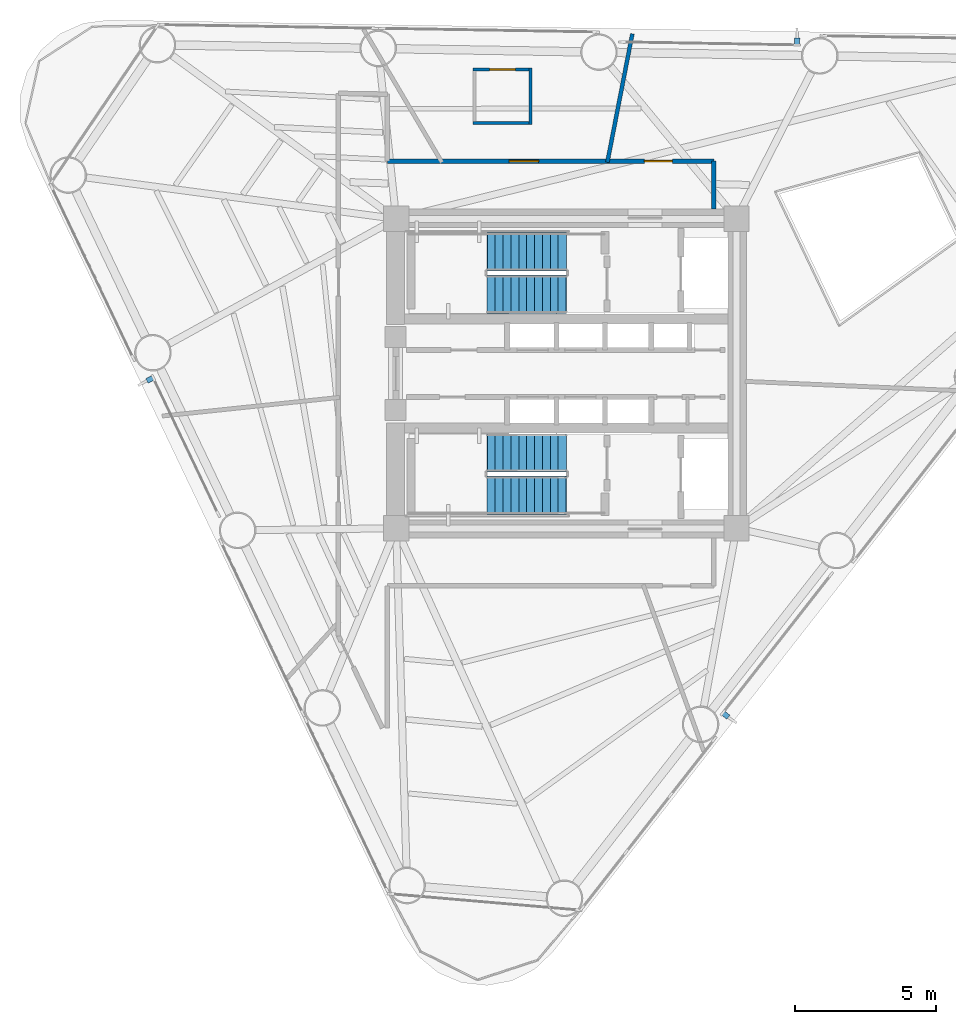
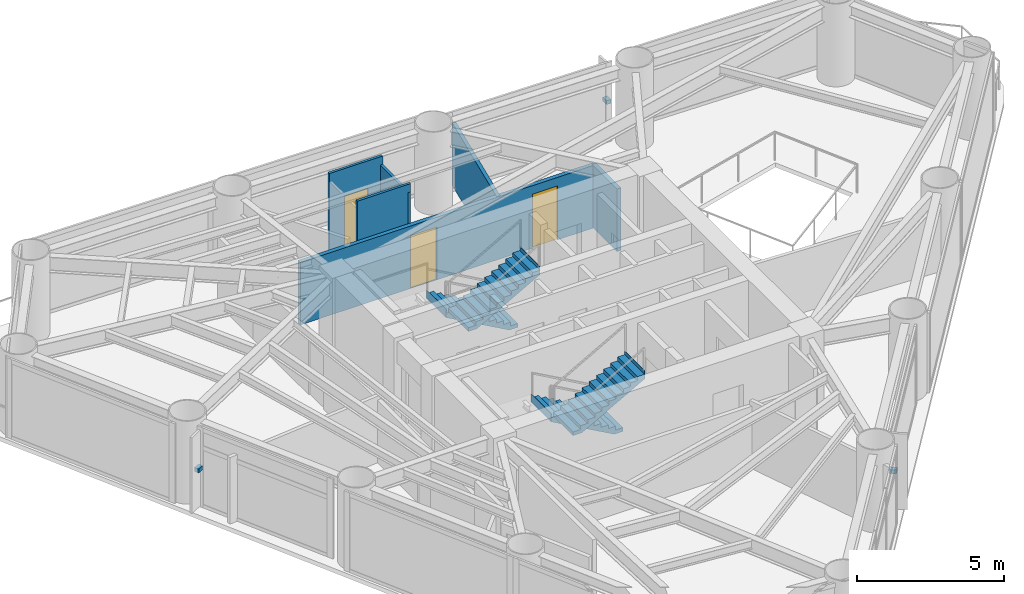
# One storey, part 7 of 10: 6 walls, 4 stair flights, 3 discrete accessories, 3 doors, 3 openings, 2 elements without a shape of their own.
"""IFC4 building model written with IfcOpenShell, lengths in metres."""

from ifc_helpers import new_model, si_unit, direction, frame, frame_2d, origin, origin_2d, place, context, subcontext, project, spatial, polyline, rectangle, outline, extrude, source, transform, mapped, material, layer, layer_set, type_object, element, fill, aggregate, save


model = new_model("IFC4")

# Units and contexts
model_context = context("Model", 3, precision=1e-05, world=origin(), true_north=direction((0.0, 1.0)))
body_context = subcontext(model_context, "Body", "Model", "MODEL_VIEW")
ifc_project = project(units=[si_unit("LENGTHUNIT", "METRE"), si_unit("AREAUNIT", "SQUARE_METRE"), si_unit("VOLUMEUNIT", "CUBIC_METRE"), si_unit("PLANEANGLEUNIT", "RADIAN"), si_unit("MASSUNIT", "GRAM", prefix="KILO")], contexts=[model_context])

# Site, building, storey
site_placement = place(None, origin())
site = spatial("IfcSite", under=ifc_project, at=site_placement, CompositionType="ELEMENT")
building_placement = place(site_placement, origin())
building = spatial("IfcBuilding", under=site, at=building_placement, Name="Yunling Apex Tower", CompositionType="ELEMENT")
storey_placement = place(building_placement, frame((0.0, 0.0, 136.39990234375)))
storey = spatial("IfcBuildingStorey", under=building, at=storey_placement, Name="L33", CompositionType="ELEMENT", Elevation=136.39990234375)

# Wall, openings, doors
ifc_material_1 = material(Name="Gypsum board acoustic partition")
ifc_layer_1 = layer(ifc_material_1, 0.159912109375)
ifc_layer_set_1 = layer_set([ifc_layer_1], Name="Gypsum board acoustic partition")
wall_type_1 = type_object("IfcWallType", Name="WL-PRT-1", PredefinedType="PARTITIONING", material=ifc_layer_set_1)
wall_1_placement = place(storey_placement, frame((-6.360107421875, 7.550048828125, 0.0), z_axis=(0.0, 0.0, 1.0), x_axis=(1.0, 0.0, 0.0)))
wall_1 = element("IfcWall", 1, at=wall_1_placement, inside=storey, type_object=wall_type_1, Name="WL-CORR-L33-07", PredefinedType="PARTITIONING", context=body_context, shape_type="SweptSolid", body=[
    extrude(rectangle(XDim=11.610107421875, YDim=0.159912109375, at=frame_2d((5.80517578125, 0.0))), origin(), (0.0, 0.0, 1.0), 2.60498046875),
])
opening_1_placement = place(wall_1_placement, frame((4.330322265625, 0.0, 0.0)))
opening_1 = element("IfcOpeningElement", 2, at=opening_1_placement, cuts=wall_1, Name="Opening DR-FL-1", PredefinedType="OPENING", context=body_context, shape_type="SweptSolid", body=[
    extrude(rectangle(XDim=1.050048828125, YDim=2.199951171875, at=frame_2d((0.52490234375, 1.10009765625))), frame((0.0, 0.08984375, 0.0), z_axis=(0.0, -1.0, 0.0), x_axis=(1.0, 0.0, 0.0)), (0.0, 0.0, 1.0), 0.179931640625),
])
opening_2_placement = place(wall_1_placement, frame((9.13330078125, 0.0, 0.0)))
opening_2 = element("IfcOpeningElement", 3, at=opening_2_placement, cuts=wall_1, Name="Opening DR-OFF-1", PredefinedType="OPENING", context=body_context, shape_type="SweptSolid", body=[
    extrude(rectangle(XDim=1.0, YDim=2.25, at=frame_2d((0.5, 1.125))), frame((0.0, 0.08984375, 0.0), z_axis=(0.0, -1.0, 0.0), x_axis=(1.0, 0.0, 0.0)), (0.0, 0.0, 1.0), 0.179931640625),
])
ifc_material_2 = material(Name="Timber fire-rated leaf", Category="wood")
door_type_1 = type_object("IfcDoorType", Name="DR-FL-1", OperationType="NOTDEFINED", PredefinedType="DOOR", material=ifc_material_2)
door_1_placement = place(opening_1_placement, origin())
door_1 = element("IfcDoor", 4, at=door_1_placement, inside=storey, type_object=door_type_1, Name="L33 Hotel Guest Room Door", OperationType="SINGLE_SWING_LEFT", OverallHeight=2.199951171875, OverallWidth=1.050048828125, PredefinedType="DOOR", context=body_context, shape_type="SweptSolid", body=[
    extrude(rectangle(XDim=1.050048828125, YDim=2.199951171875, at=frame_2d((0.52490234375, 1.10009765625))), frame((0.0, 0.02490234375, 0.0), z_axis=(0.0, -1.0, 0.0), x_axis=(1.0, 0.0, 0.0)), (0.0, 0.0, 1.0), 0.050048828125),
])
fill(opening_1, door_1)
ifc_material_3 = material(Name="Bronze anodised aluminium", Category="aluminium")
door_type_2 = type_object("IfcDoorType", Name="DR-OFF-1", OperationType="NOTDEFINED", PredefinedType="DOOR", material=ifc_material_3)
door_2_placement = place(opening_2_placement, origin())
door_2 = element("IfcDoor", 5, at=door_2_placement, inside=storey, type_object=door_type_2, Name="L33 Club Lounge Door", OperationType="SINGLE_SWING_RIGHT", OverallHeight=2.25, OverallWidth=1.0, PredefinedType="DOOR", context=body_context, shape_type="SweptSolid", body=[
    extrude(rectangle(XDim=1.0, YDim=2.25, at=frame_2d((0.5, 1.125))), frame((0.0, 0.02490234375, 0.0), z_axis=(0.0, -1.0, 0.0), x_axis=(1.0, 0.0, 0.0)), (0.0, 0.0, 1.0), 0.050048828125),
])
fill(opening_2, door_2)

# Walls
wall_2_placement = place(storey_placement, frame((5.25, 7.550048828125, 0.0), z_axis=(0.0, 0.0, 1.0), x_axis=(0.0, -1.0, 0.0)))
element("IfcWall", 6, at=wall_2_placement, inside=storey, type_object=wall_type_1, Name="WL-CORR-L33-08", PredefinedType="PARTITIONING", context=body_context, shape_type="SweptSolid", body=[
    extrude(rectangle(XDim=1.699951171875, YDim=0.159912109375, at=frame_2d((0.85009765625, 0.0))), origin(), (0.0, 0.0, 1.0), 2.60498046875),
])
ifc_layer_2 = layer(ifc_material_1, 0.139892578125)
ifc_layer_set_2 = layer_set([ifc_layer_2], Name="Gypsum board acoustic partition")
wall_type_2 = type_object("IfcWallType", Name="WL-PRT-2", PredefinedType="PARTITIONING", material=ifc_layer_set_2)
wall_3_placement = place(storey_placement, frame((1.459716796875, 7.510009765625, 0.0), z_axis=(0.0, 0.0, 1.0), x_axis=(0.19080504805, 0.981627950722, 0.0)))
element("IfcWall", 7, at=wall_3_placement, inside=storey, type_object=wall_type_2, Name="WL-RAD-L33-02", PredefinedType="PARTITIONING", context=body_context, shape_type="SweptSolid", body=[
    extrude(rectangle(XDim=4.65234375, YDim=0.139892578125, at=frame_2d((2.326171875, 0.0))), origin(), (0.0, 0.0, 1.0), 2.60498046875),
])

# Wall, opening, door
ifc_layer_3 = layer(ifc_material_1, 0.10009765625)
ifc_layer_set_3 = layer_set([ifc_layer_3], Name="Gypsum board acoustic partition")
wall_type_3 = type_object("IfcWallType", Name="WL-PRT-4", PredefinedType="PARTITIONING", material=ifc_layer_set_3)
wall_4_placement = place(storey_placement, frame((-3.318115234375, 10.804931640625, 0.0), z_axis=(0.0, 0.0, 1.0), x_axis=(1.0, 0.0, 0.0)))
wall_4 = element("IfcWall", 8, at=wall_4_placement, inside=storey, type_object=wall_type_3, Name="WL-ENS-L33-5N", PredefinedType="PARTITIONING", context=body_context, shape_type="SweptSolid", body=[
    extrude(rectangle(XDim=2.10009765625, YDim=0.10009765625, at=frame_2d((1.050048828125, 0.0))), origin(), (0.0, 0.0, 1.0), 3.25),
])
opening_3_placement = place(wall_4_placement, frame((0.590087890625, 0.0, 0.0)))
opening_3 = element("IfcOpeningElement", 9, at=opening_3_placement, cuts=wall_4, Name="Opening DR-WC-1", PredefinedType="OPENING", context=body_context, shape_type="SweptSolid", body=[
    extrude(rectangle(XDim=0.919921875, YDim=2.10009765625, at=frame_2d((0.4599609375, 1.050048828125))), frame((0.0, 0.06005859375, 0.0), z_axis=(0.0, -1.0, 0.0), x_axis=(1.0, 0.0, 0.0)), (0.0, 0.0, 1.0), 0.1201171875),
])
ifc_material_4 = material(Name="Timber moisture-resistant leaf", Category="wood")
door_type_3 = type_object("IfcDoorType", Name="DR-WC-1", OperationType="NOTDEFINED", PredefinedType="DOOR", material=ifc_material_4)
door_3_placement = place(opening_3_placement, origin())
door_3 = element("IfcDoor", 10, at=door_3_placement, inside=storey, type_object=door_type_3, Name="L33 En-Suite Door", OperationType="SINGLE_SWING_LEFT", OverallHeight=2.10009765625, OverallWidth=0.919921875, PredefinedType="DOOR", context=body_context, shape_type="SweptSolid", body=[
    extrude(rectangle(XDim=0.919921875, YDim=2.10009765625, at=frame_2d((0.4599609375, 1.050048828125))), frame((0.0, 0.02490234375, 0.0), z_axis=(0.0, -1.0, 0.0), x_axis=(1.0, 0.0, 0.0)), (0.0, 0.0, 1.0), 0.050048828125),
])
fill(opening_3, door_3)

# Walls
wall_5_placement = place(storey_placement, frame((-1.218017578125, 8.905029296875, 0.0), z_axis=(0.0, 0.0, 1.0), x_axis=(-1.0, 0.0, 0.0)))
element("IfcWall", 11, at=wall_5_placement, inside=storey, type_object=wall_type_3, Name="WL-ENS-L33-5S", PredefinedType="PARTITIONING", context=body_context, shape_type="SweptSolid", body=[
    extrude(rectangle(XDim=2.10009765625, YDim=0.10009765625, at=frame_2d((1.050048828125, 0.0))), origin(), (0.0, 0.0, 1.0), 3.25),
])
wall_6_placement = place(storey_placement, frame((-1.26806640625, 10.85498046875, 0.0), z_axis=(0.0, 0.0, 1.0), x_axis=(0.0, -1.0, 0.0)))
element("IfcWall", 12, at=wall_6_placement, inside=storey, type_object=wall_type_3, Name="WL-ENS-L33-5E", PredefinedType="PARTITIONING", context=body_context, shape_type="SweptSolid", body=[
    extrude(rectangle(XDim=2.0, YDim=0.10009765625, at=frame_2d((1.0, 0.0))), origin(), (0.0, 0.0, 1.0), 2.905029296875),
])

# Stair, stair flights
ifc_material_5 = material(Name="Concrete C40", Category="concrete")
stair_type = type_object("IfcStairType", Name="ST-TWR-2", PredefinedType="HALF_TURN_STAIR", material=ifc_material_5)
stair_1_placement = place(storey_placement, origin())
stair_1 = element("IfcStair", 13, at=stair_1_placement, inside=storey, type_object=stair_type, Name="L33 North Core Smokeproof Exit Stair ST-1", PredefinedType="HALF_TURN_STAIR")
stair_flight_type = type_object("IfcStairFlightType", Name="SFL-TWR-2", PredefinedType="STRAIGHT", material=ifc_material_5)
stair_flight_1_placement = place(storey_placement, frame((-0.010009765625, 4.330078125, 0.0), z_axis=(0.0, 0.0, 1.0), x_axis=(-1.0, 0.0, 0.0)))
stair_flight_1 = element("IfcStairFlight", 14, at=stair_flight_1_placement, type_object=stair_flight_type, Name="ST-1 flight 1", NumberOfRisers=11, NumberOfTreads=10, PredefinedType="STRAIGHT", RiserHeight=0.156818182, TreadLength=0.28, context=body_context, shape_type="SweptSolid", body=[
    extrude(outline(polyline([(-0.011962890625, 0.0), (-0.011962890625, 0.15673828125), (0.0, 0.15673828125), (0.280029296875, 0.15673828125), (0.280029296875, 0.313720703125), (0.56005859375, 0.313720703125), (0.56005859375, 0.470458984375), (0.840087890625, 0.470458984375), (0.840087890625, 0.627197265625), (1.1201171875, 0.627197265625), (1.1201171875, 0.7841796875), (1.39990234375, 0.7841796875), (1.39990234375, 0.94091796875), (1.679931640625, 0.94091796875), (1.679931640625, 1.09765625), (1.9599609375, 1.09765625), (1.9599609375, 1.254638671875), (2.239990234375, 1.254638671875), (2.239990234375, 1.411376953125), (2.52001953125, 1.411376953125), (2.52001953125, 1.568115234375), (2.800048828125, 1.568115234375), (2.800048828125, 1.72509765625), (2.81201171875, 1.72509765625), (2.81201171875, 1.385009765625), (0.3271484375, 0.0), (-0.011962890625, 0.0)])), frame((0.0, 0.68017578125, 0.0), z_axis=(0.0, -1.0, 0.0), x_axis=(1.0, 0.0, 0.0)), (0.0, 0.0, 1.0), 1.360107421875),
])
stair_flight_2_placement = place(storey_placement, frame((-2.81005859375, 2.820068359375, 1.72509765625), z_axis=(0.0, 0.0, 1.0), x_axis=(1.0, 0.0, 0.0)))
stair_flight_2 = element("IfcStairFlight", 15, at=stair_flight_2_placement, type_object=stair_flight_type, Name="ST-1 flight 2", NumberOfRisers=11, NumberOfTreads=10, PredefinedType="STRAIGHT", RiserHeight=0.156818182, TreadLength=0.28, context=body_context, shape_type="SweptSolid", body=[
    extrude(outline(polyline([(-0.011962890625, 0.0), (-0.011962890625, 0.15673828125), (0.0, 0.15673828125), (0.280029296875, 0.15673828125), (0.280029296875, 0.313720703125), (0.56005859375, 0.313720703125), (0.56005859375, 0.470458984375), (0.840087890625, 0.470458984375), (0.840087890625, 0.627197265625), (1.1201171875, 0.627197265625), (1.1201171875, 0.7841796875), (1.39990234375, 0.7841796875), (1.39990234375, 0.94091796875), (1.679931640625, 0.94091796875), (1.679931640625, 1.09765625), (1.9599609375, 1.09765625), (1.9599609375, 1.254638671875), (2.239990234375, 1.254638671875), (2.239990234375, 1.411376953125), (2.52001953125, 1.411376953125), (2.52001953125, 1.568115234375), (2.800048828125, 1.568115234375), (2.800048828125, 1.72509765625), (2.81201171875, 1.72509765625), (2.81201171875, 1.385009765625), (0.3271484375, 0.0), (-0.011962890625, 0.0)])), frame((0.0, 0.68017578125, 0.0), z_axis=(0.0, -1.0, 0.0), x_axis=(1.0, 0.0, 0.0)), (0.0, 0.0, 1.0), 1.360107421875),
])
aggregate(stair_1, [stair_flight_1, stair_flight_2])

stair_2_placement = place(storey_placement, origin())
stair_2 = element("IfcStair", 16, at=stair_2_placement, inside=storey, type_object=stair_type, Name="L33 South Core Smokeproof Exit Stair ST-2", PredefinedType="HALF_TURN_STAIR")
stair_flight_3_placement = place(storey_placement, frame((-0.010009765625, -2.820068359375, 0.0), z_axis=(0.0, 0.0, 1.0), x_axis=(-1.0, 0.0, 0.0)))
stair_flight_3 = element("IfcStairFlight", 17, at=stair_flight_3_placement, type_object=stair_flight_type, Name="ST-2 flight 1", NumberOfRisers=11, NumberOfTreads=10, PredefinedType="STRAIGHT", RiserHeight=0.156818182, TreadLength=0.28, context=body_context, shape_type="SweptSolid", body=[
    extrude(outline(polyline([(-0.011962890625, 0.0), (-0.011962890625, 0.15673828125), (0.0, 0.15673828125), (0.280029296875, 0.15673828125), (0.280029296875, 0.313720703125), (0.56005859375, 0.313720703125), (0.56005859375, 0.470458984375), (0.840087890625, 0.470458984375), (0.840087890625, 0.627197265625), (1.1201171875, 0.627197265625), (1.1201171875, 0.7841796875), (1.39990234375, 0.7841796875), (1.39990234375, 0.94091796875), (1.679931640625, 0.94091796875), (1.679931640625, 1.09765625), (1.9599609375, 1.09765625), (1.9599609375, 1.254638671875), (2.239990234375, 1.254638671875), (2.239990234375, 1.411376953125), (2.52001953125, 1.411376953125), (2.52001953125, 1.568115234375), (2.800048828125, 1.568115234375), (2.800048828125, 1.72509765625), (2.81201171875, 1.72509765625), (2.81201171875, 1.385009765625), (0.3271484375, 0.0), (-0.011962890625, 0.0)])), frame((0.0, 0.68017578125, 0.0), z_axis=(0.0, -1.0, 0.0), x_axis=(1.0, 0.0, 0.0)), (0.0, 0.0, 1.0), 1.360107421875),
])
stair_flight_4_placement = place(storey_placement, frame((-2.81005859375, -4.330078125, 1.72509765625), z_axis=(0.0, 0.0, 1.0), x_axis=(1.0, 0.0, 0.0)))
stair_flight_4 = element("IfcStairFlight", 18, at=stair_flight_4_placement, type_object=stair_flight_type, Name="ST-2 flight 2", NumberOfRisers=11, NumberOfTreads=10, PredefinedType="STRAIGHT", RiserHeight=0.156818182, TreadLength=0.28, context=body_context, shape_type="SweptSolid", body=[
    extrude(outline(polyline([(-0.011962890625, 0.0), (-0.011962890625, 0.15673828125), (0.0, 0.15673828125), (0.280029296875, 0.15673828125), (0.280029296875, 0.313720703125), (0.56005859375, 0.313720703125), (0.56005859375, 0.470458984375), (0.840087890625, 0.470458984375), (0.840087890625, 0.627197265625), (1.1201171875, 0.627197265625), (1.1201171875, 0.7841796875), (1.39990234375, 0.7841796875), (1.39990234375, 0.94091796875), (1.679931640625, 0.94091796875), (1.679931640625, 1.09765625), (1.9599609375, 1.09765625), (1.9599609375, 1.254638671875), (2.239990234375, 1.254638671875), (2.239990234375, 1.411376953125), (2.52001953125, 1.411376953125), (2.52001953125, 1.568115234375), (2.800048828125, 1.568115234375), (2.800048828125, 1.72509765625), (2.81201171875, 1.72509765625), (2.81201171875, 1.385009765625), (0.3271484375, 0.0), (-0.011962890625, 0.0)])), frame((0.0, 0.68017578125, 0.0), z_axis=(0.0, -1.0, 0.0), x_axis=(1.0, 0.0, 0.0)), (0.0, 0.0, 1.0), 1.360107421875),
])
aggregate(stair_2, [stair_flight_3, stair_flight_4])

# Discrete accessories
ifc_material_6 = material(Name="Steel Q355B", Category="steel")
discrete_accessory_type = type_object("IfcDiscreteAccessoryType", Name="BK-FIN-1", PredefinedType="BRACKET", material=ifc_material_6)
shared_shape = source(origin(), body_context, "Body", "SweptSolid", [
    extrude(rectangle(XDim=0.179931640625, YDim=0.260009765625, at=origin_2d()), origin(), (0.0, 0.0, 1.0), 0.159912109375),
])
for number, where, z_axis, x_axis, name in (
    (19, (5.658447265625, -12.135986328125, 1.55517578125), (0.0, 0.0, 1.0), (0.616211460536, 0.787580748815, 0.0), "CW-L33-F1-B2-BRK-01-1"),
    (20, (8.207763671875, 11.798828125, 1.55517578125), (0.0, 0.0, 1.0), (-0.999859635577, 0.016754376869, 0.0), "CW-L33-F2-B2-BRK-01-1"),
    (21, (-14.790283203125, -0.201416015625, 1.55517578125), (0.0, 0.0, 1.0), (0.430511096808, -0.90258528435, 0.0), "CW-L33-F3-B2-BRK-01-1"),
):
    element("IfcDiscreteAccessory", number, at=place(storey_placement, frame(where, z_axis=z_axis, x_axis=x_axis)), inside=storey, type_object=discrete_accessory_type, Name=name, PredefinedType="BRACKET", context=body_context, shape_type="MappedRepresentation", body=[
        mapped(shared_shape, transform((0.0, 0.0, 0.0), scale=1.0)),
    ])

save(model, "model.ifc")
